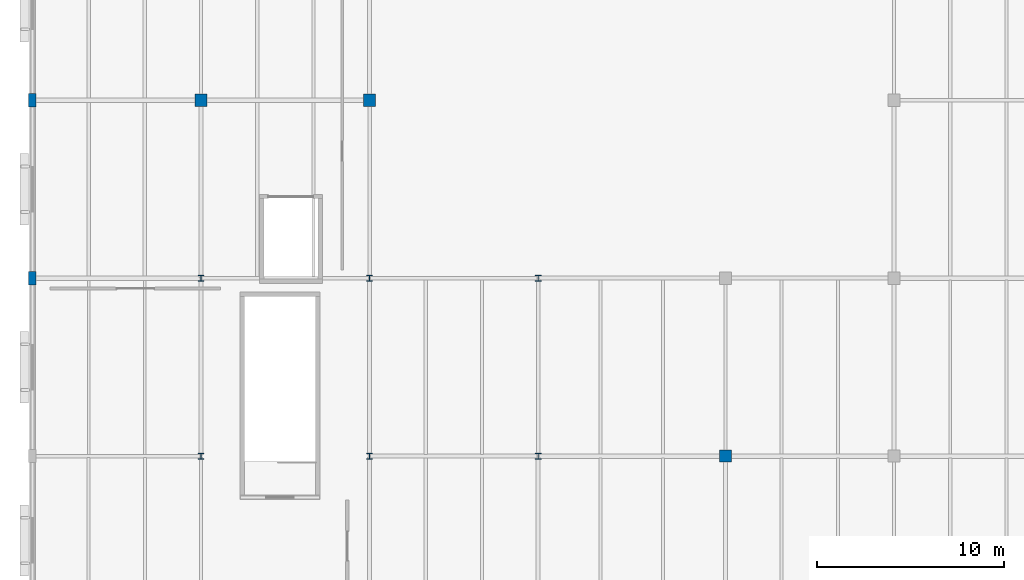
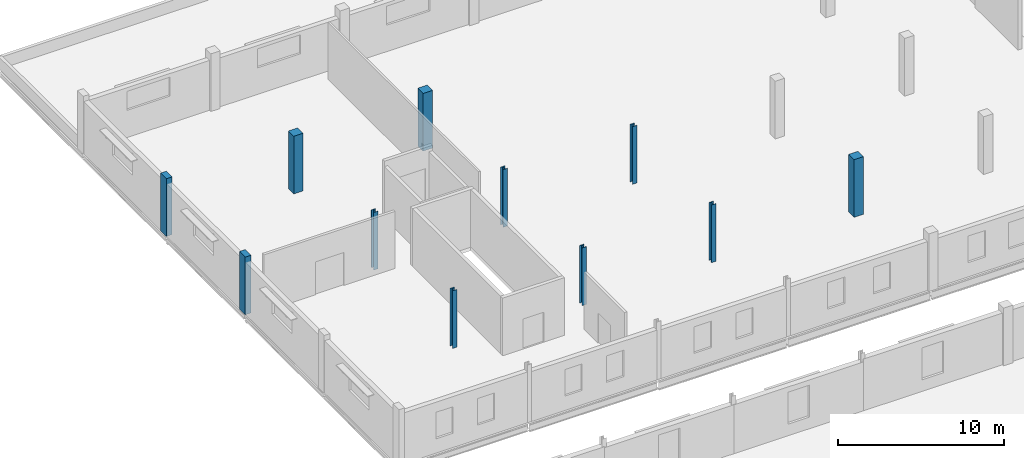
# One storey, part 12 of 85: 11 columns.
"""IFC4 building model written with IfcOpenShell, lengths in metres."""

from ifc_helpers import new_model, si_unit, direction, frame, origin, origin_2d, place, context, subcontext, project, spatial, rectangle, i_section, extrude, material, material_profile, profile_set, type_object, element, save


model = new_model("IFC4")

# Units and contexts
model_context = context("Model", 3, precision=1e-05, world=origin(), true_north=direction((0.0, 1.0)))
body_context = subcontext(model_context, "Body", "Model", "MODEL_VIEW")
ifc_project = project(units=[si_unit("LENGTHUNIT", "METRE"), si_unit("AREAUNIT", "SQUARE_METRE"), si_unit("VOLUMEUNIT", "CUBIC_METRE"), si_unit("PLANEANGLEUNIT", "RADIAN"), si_unit("MASSUNIT", "GRAM", prefix="KILO")], contexts=[model_context])

# Site, building, storey
site_placement = place(None, origin())
site = spatial("IfcSite", under=ifc_project, at=site_placement, CompositionType="ELEMENT")
building_placement = place(site_placement, origin())
building = spatial("IfcBuilding", under=site, at=building_placement, Name="Marnock Terrace Opera House", CompositionType="ELEMENT")
storey_placement = place(building_placement, frame((0.0, 0.0, 10.199951171875)))
storey = spatial("IfcBuildingStorey", under=building, at=storey_placement, Name="L02", CompositionType="ELEMENT", Elevation=10.199951171875)

# Columns
ifc_material_1 = material(Name="Concrete N40 (f'c = 40 MPa)", Category="concrete")
ifc_material_profile_1 = material_profile(ifc_material_1, rectangle(XDim=0.39990234375, YDim=0.699951171875, at=origin_2d()))
ifc_profile_set_1 = profile_set([ifc_material_profile_1], Name="Concrete N40 (f'c = 40 MPa)")
column_type_1 = type_object("IfcColumnType", Name="COL-PIL-700", PredefinedType="PILASTER", material=ifc_profile_set_1)
for number, where, z_axis, x_axis, name in (
    (1, (0.0, 84.5, 0.0), (0.0, 0.0, 1.0), (1.0, 0.0, 0.0), "L02 column at (0.0, 84.5)"),
    (2, (0.0, 94.0, 0.0), (0.0, 0.0, 1.0), (1.0, 0.0, 0.0), "L02 column at (0.0, 94.0)"),
):
    element("IfcColumn", number, at=place(storey_placement, frame(where, z_axis=z_axis, x_axis=x_axis)), inside=storey, type_object=column_type_1, Name=name, PredefinedType="PILASTER", context=body_context, shape_type="SweptSolid", body=[
        extrude(rectangle(XDim=0.39990234375, YDim=0.699951171875, at=origin_2d()), origin(), (0.0, 0.0, 1.0), 4.239990234375),
    ])
ifc_material_profile_2 = material_profile(ifc_material_1, rectangle(XDim=0.64990234375, YDim=0.64990234375, at=origin_2d()))
ifc_profile_set_2 = profile_set([ifc_material_profile_2], Name="Concrete N40 (f'c = 40 MPa)")
column_type_2 = type_object("IfcColumnType", Name="COL-RC650", PredefinedType="COLUMN", material=ifc_profile_set_2)
for number, where, z_axis, x_axis, name in (
    (3, (9.0, 94.0, 0.0), (0.0, 0.0, 1.0), (1.0, 0.0, 0.0), "L02 column at (9.0, 94.0)"),
    (4, (18.0, 94.0, 0.0), (0.0, 0.0, 1.0), (1.0, 0.0, 0.0), "L02 column at (18.0, 94.0)"),
    (5, (37.0, 75.0, 0.0), (0.0, 0.0, 1.0), (1.0, 0.0, 0.0), "L02 column at (37.0, 75.0)"),
):
    element("IfcColumn", number, at=place(storey_placement, frame(where, z_axis=z_axis, x_axis=x_axis)), inside=storey, type_object=column_type_2, Name=name, PredefinedType="COLUMN", context=body_context, shape_type="SweptSolid", body=[
        extrude(rectangle(XDim=0.64990234375, YDim=0.64990234375, at=origin_2d()), origin(), (0.0, 0.0, 1.0), 4.239990234375),
    ])
ifc_material_2 = material(Name="Steel Grade 350 (AS/NZS 3679.1)", Category="steel")
ifc_material_profile_3 = material_profile(ifc_material_2, i_section(OverallWidth=0.306884765625, OverallDepth=0.314697265625, WebThickness=0.011962890625, FlangeThickness=0.018798828125, FilletRadius=0.0166015625, at=origin_2d()))
ifc_profile_set_3 = profile_set([ifc_material_profile_3], Name="Steel Grade 350 (AS/NZS 3679.1)")
column_type_3 = type_object("IfcColumnType", Name="COL-UC310C", PredefinedType="COLUMN", material=ifc_profile_set_3)
for number, where, z_axis, x_axis, name in (
    (6, (9.0, 75.0, 0.0), (0.0, 0.0, 1.0), (1.0, 0.0, 0.0), "L02 column at (9.0, 75.0)"),
    (7, (9.0, 84.5, 0.0), (0.0, 0.0, 1.0), (1.0, 0.0, 0.0), "L02 column at (9.0, 84.5)"),
    (8, (18.0, 75.0, 0.0), (0.0, 0.0, 1.0), (1.0, 0.0, 0.0), "L02 column at (18.0, 75.0)"),
    (9, (18.0, 84.5, 0.0), (0.0, 0.0, 1.0), (1.0, 0.0, 0.0), "L02 column at (18.0, 84.5)"),
    (10, (27.0, 75.0, 0.0), (0.0, 0.0, 1.0), (1.0, 0.0, 0.0), "L02 column at (27.0, 75.0)"),
    (11, (27.0, 84.5, 0.0), (0.0, 0.0, 1.0), (1.0, 0.0, 0.0), "L02 column at (27.0, 84.5)"),
):
    element("IfcColumn", number, at=place(storey_placement, frame(where, z_axis=z_axis, x_axis=x_axis)), inside=storey, type_object=column_type_3, Name=name, PredefinedType="COLUMN", context=body_context, shape_type="SweptSolid", body=[
        extrude(i_section(OverallWidth=0.306884765625, OverallDepth=0.314697265625, WebThickness=0.011962890625, FlangeThickness=0.018798828125, FilletRadius=0.0166015625, at=origin_2d()), origin(), (0.0, 0.0, 1.0), 4.239990234375),
    ])

save(model, "model.ifc")
